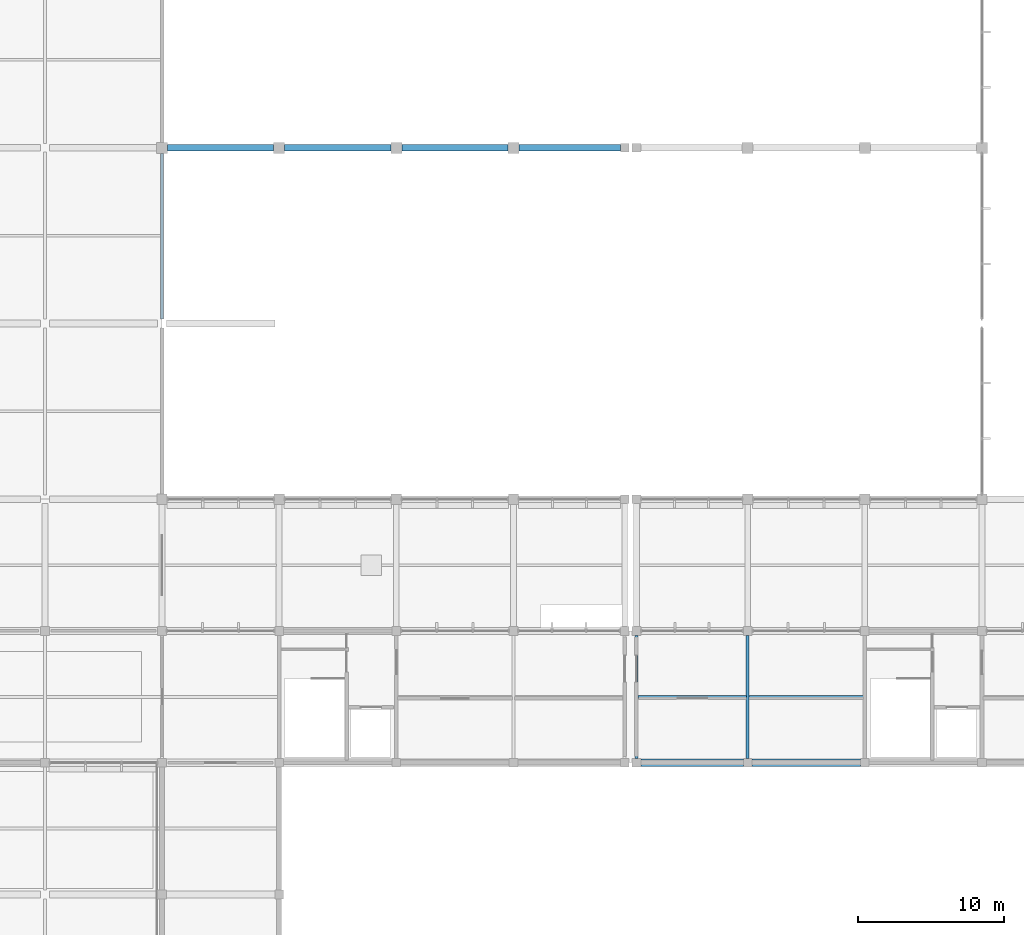
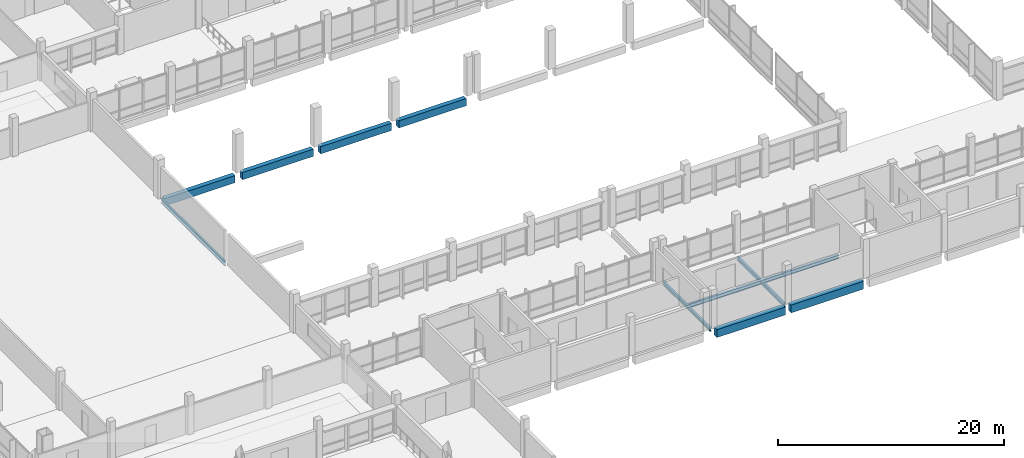
# One storey, part 10 of 70: 11 beams.
"""IFC4 building model written with IfcOpenShell, lengths in metres."""

from ifc_helpers import new_model, si_unit, direction, frame, origin, origin_2d, place, context, subcontext, project, spatial, rectangle, i_section, extrude, material, material_profile, profile_set, type_object, element, save


model = new_model("IFC4")

# Units and contexts
model_context = context("Model", 3, precision=1e-05, world=origin(), true_north=direction((0.0, 1.0)))
body_context = subcontext(model_context, "Body", "Model", "MODEL_VIEW")
ifc_project = project(units=[si_unit("LENGTHUNIT", "METRE"), si_unit("AREAUNIT", "SQUARE_METRE"), si_unit("VOLUMEUNIT", "CUBIC_METRE"), si_unit("PLANEANGLEUNIT", "RADIAN"), si_unit("MASSUNIT", "GRAM", prefix="KILO"), si_unit("THERMODYNAMICTEMPERATUREUNIT", "KELVIN"), si_unit("POWERUNIT", "WATT")], contexts=[model_context])

# Site, building, storey
site_placement = place(None, origin())
site = spatial("IfcSite", under=ifc_project, at=site_placement, CompositionType="ELEMENT")
building_placement = place(site_placement, origin())
building = spatial("IfcBuilding", under=site, at=building_placement, Name="Kronsvod Quay Wholesale Market", CompositionType="ELEMENT")
storey_placement = place(building_placement, frame((0.0, 0.0, 9.0)))
storey = spatial("IfcBuildingStorey", under=building, at=storey_placement, Name="L02", CompositionType="ELEMENT", Elevation=9.0)

# Beams
ifc_material_1 = material(Name="Precast concrete C40/50", Category="concrete")
ifc_material_profile_1 = material_profile(ifc_material_1, rectangle(XDim=0.4599609375, YDim=0.780029296875, at=origin_2d()), Name="PB-03")
ifc_profile_set_1 = profile_set([ifc_material_profile_1], Name="Precast concrete C40/50")
beam_type_1 = type_object("IfcBeamType", Name="Beam_PCB460x780", PredefinedType="BEAM", material=ifc_profile_set_1)
for number, where, z_axis, x_axis, name in (
    (1, (32.375, 78.0, -0.699951171875), (1.0, 0.0, 0.0), (0.0, 1.0, 0.0), "BMX-L02-320-780"),
    (2, (40.375, 78.0, -0.64990234375), (1.0, 0.0, 0.0), (0.0, 1.0, 0.0), "BMX-L02-400-780"),
    (3, (48.375, 78.0, -0.64990234375), (1.0, 0.0, 0.0), (0.0, 1.0, 0.0), "BMX-L02-480-780"),
):
    element("IfcBeam", number, at=place(storey_placement, frame(where, z_axis=z_axis, x_axis=x_axis)), inside=storey, type_object=beam_type_1, Name=name, PredefinedType="BEAM", context=body_context, shape_type="SweptSolid", body=[
        extrude(rectangle(XDim=0.4599609375, YDim=0.780029296875, at=origin_2d()), origin(), (0.0, 0.0, 1.0), 7.25),
    ])
beam_1_placement = place(storey_placement, frame((56.375, 78.0, -0.64990234375), z_axis=(1.0, 0.0, 0.0), x_axis=(0.0, 1.0, 0.0)))
element("IfcBeam", 4, at=beam_1_placement, inside=storey, type_object=beam_type_1, Name="BMX-L02-560-780", PredefinedType="BEAM", context=body_context, shape_type="SweptSolid", body=[
    extrude(rectangle(XDim=0.4599609375, YDim=0.780029296875, at=origin_2d()), origin(), (0.0, 0.0, 1.0), 6.925048828125),
])
ifc_material_2 = material(Name="Steel S355", Category="steel")
ifc_material_profile_2 = material_profile(ifc_material_2, i_section(OverallWidth=0.199951171875, OverallDepth=0.39990234375, WebThickness=0.008056640625, FlangeThickness=0.012939453125, FilletRadius=0.01611328125, at=origin_2d()), Name="40B2")
ifc_profile_set_2 = profile_set([ifc_material_profile_2], Name="Steel S355")
beam_type_2 = type_object("IfcBeamType", Name="Beam_Steel40B2", PredefinedType="BEAM", material=ifc_profile_set_2)
for number, where, z_axis, x_axis, name in (
    (5, (64.39990234375, 36.300048828125, -0.510009765625), (0.0, 1.0, 0.0), (-1.0, 0.0, 0.0), "BMY-L02-644-360"),
    (6, (72.0, 36.300048828125, -0.510009765625), (0.0, 1.0, 0.0), (-1.0, 0.0, 0.0), "BMY-L02-720-360"),
):
    element("IfcBeam", number, at=place(storey_placement, frame(where, z_axis=z_axis, x_axis=x_axis)), inside=storey, type_object=beam_type_2, Name=name, PredefinedType="BEAM", context=body_context, shape_type="SweptSolid", body=[
        extrude(i_section(OverallWidth=0.199951171875, OverallDepth=0.39990234375, WebThickness=0.008056640625, FlangeThickness=0.012939453125, FilletRadius=0.01611328125, at=origin_2d()), origin(), (0.0, 0.0, 1.0), 8.39990234375),
    ])
ifc_material_3 = material(Name="Steel S355", Category="steel")
ifc_material_profile_3 = material_profile(ifc_material_3, i_section(OverallWidth=0.199951171875, OverallDepth=0.449951171875, WebThickness=0.009033203125, FlangeThickness=0.013916015625, FilletRadius=0.01806640625, at=origin_2d()), Name="45B2")
ifc_profile_set_3 = profile_set([ifc_material_profile_3], Name="Steel S355")
beam_type_3 = type_object("IfcBeamType", Name="Beam_Steel45B2", PredefinedType="BEAM", material=ifc_profile_set_3)
beam_2_placement = place(storey_placement, frame((64.4951171875, 40.5, -0.52490234375), z_axis=(1.0, 0.0, 0.0), x_axis=(0.0, 1.0, 0.0)))
element("IfcBeam", 7, at=beam_2_placement, inside=storey, type_object=beam_type_3, Name="JSTX-L02-644-360", PredefinedType="BEAM", context=body_context, shape_type="SweptSolid", body=[
    extrude(i_section(OverallWidth=0.199951171875, OverallDepth=0.449951171875, WebThickness=0.009033203125, FlangeThickness=0.013916015625, FilletRadius=0.01806640625, at=origin_2d()), origin(), (0.0, 0.0, 1.0), 7.409912109375),
])
beam_3_placement = place(storey_placement, frame((72.094970703125, 40.5, -0.52490234375), z_axis=(1.0, 0.0, 0.0), x_axis=(0.0, 1.0, 0.0)))
element("IfcBeam", 8, at=beam_3_placement, inside=storey, type_object=beam_type_3, Name="JSTX-L02-720-360", PredefinedType="BEAM", context=body_context, shape_type="SweptSolid", body=[
    extrude(i_section(OverallWidth=0.199951171875, OverallDepth=0.449951171875, WebThickness=0.009033203125, FlangeThickness=0.013916015625, FilletRadius=0.01806640625, at=origin_2d()), origin(), (0.0, 0.0, 1.0), 7.81005859375),
])
ifc_material_4 = material(Name="Precast concrete C40/50", Category="concrete")
ifc_material_profile_4 = material_profile(ifc_material_4, rectangle(XDim=0.5, YDim=0.85009765625, at=origin_2d()), Name="PCB500x850")
ifc_profile_set_4 = profile_set([ifc_material_profile_4], Name="Precast concrete C40/50")
beam_type_4 = type_object("IfcBeamType", Name="Girder_PCB500x850", PredefinedType="T_BEAM", material=ifc_profile_set_4)
beam_4_placement = place(storey_placement, frame((64.699951171875, 36.0, -0.735107421875), z_axis=(1.0, 0.0, 0.0), x_axis=(0.0, 1.0, 0.0)))
element("IfcBeam", 9, at=beam_4_placement, inside=storey, type_object=beam_type_4, Name="BMX-L02-644-360", PredefinedType="T_BEAM", context=body_context, shape_type="SweptSolid", body=[
    extrude(rectangle(XDim=0.5, YDim=0.85009765625, at=origin_2d()), origin(), (0.0, 0.0, 1.0), 7.0),
])
beam_5_placement = place(storey_placement, frame((72.300048828125, 36.0, -0.735107421875), z_axis=(1.0, 0.0, 0.0), x_axis=(0.0, 1.0, 0.0)))
element("IfcBeam", 10, at=beam_5_placement, inside=storey, type_object=beam_type_4, Name="BMX-L02-720-360", PredefinedType="T_BEAM", context=body_context, shape_type="SweptSolid", body=[
    extrude(rectangle(XDim=0.5, YDim=0.85009765625, at=origin_2d()), origin(), (0.0, 0.0, 1.0), 7.39990234375),
])
ifc_material_5 = material(Name="Steel S355", Category="steel")
ifc_material_profile_5 = material_profile(ifc_material_5, i_section(OverallWidth=0.198974609375, OverallDepth=0.49609375, WebThickness=0.009033203125, FlangeThickness=0.013916015625, FilletRadius=0.02001953125, at=origin_2d()), Name="50B1")
ifc_profile_set_5 = profile_set([ifc_material_profile_5], Name="Steel S355")
beam_type_5 = type_object("IfcBeamType", Name="Girder_Steel50B1", PredefinedType="T_BEAM", material=ifc_profile_set_5)
beam_6_placement = place(storey_placement, frame((32.0, 66.300048828125, -0.22802734375), z_axis=(0.0, 1.0, 0.0), x_axis=(-1.0, 0.0, 0.0)))
element("IfcBeam", 11, at=beam_6_placement, inside=storey, type_object=beam_type_5, Name="BMY-L02-320-660", PredefinedType="T_BEAM", context=body_context, shape_type="SweptSolid", body=[
    extrude(i_section(OverallWidth=0.198974609375, OverallDepth=0.49609375, WebThickness=0.009033203125, FlangeThickness=0.013916015625, FilletRadius=0.02001953125, at=origin_2d()), origin(), (0.0, 0.0, 1.0), 11.324951171875),
])

save(model, "model.ifc")
